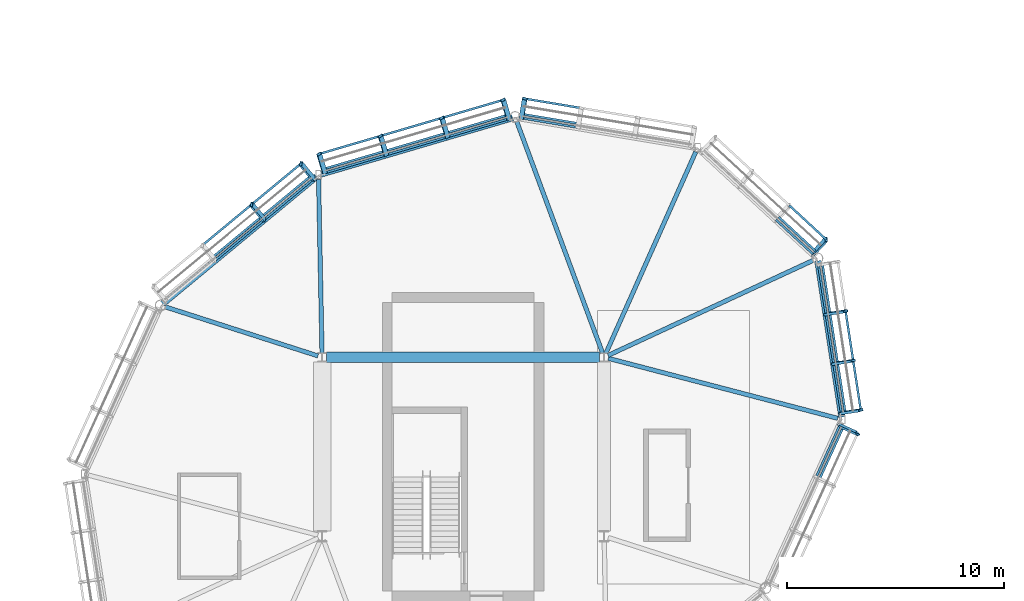
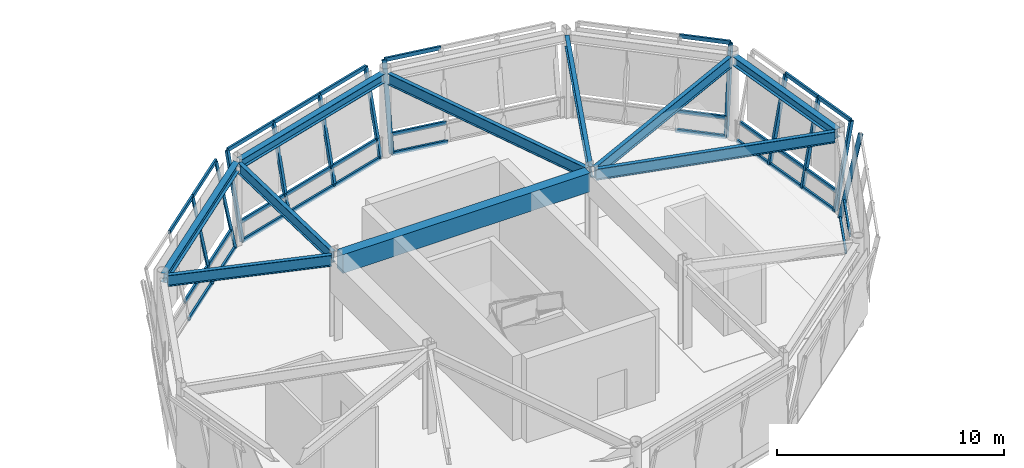
# One storey, part 57 of 94: 43 members, 10 beams, 6 elements without a shape of their own.
"""IFC4 building model written with IfcOpenShell, lengths in metres."""

import ifcopenshell
import ifcopenshell.guid

model = None  # the IFC model being written
_history = None  # IfcOwnerHistory: only IFC2X3 demands one
_inside = {}  # id of a spatial element -> (the spatial element, [elements in it])
_under = {}  # id of a project, library or spatial element -> (it, [spatial elements below it])
_declared = {}  # id of a project -> (the project, [libraries it declares])
_typed = {}  # id of a type object -> (the type object, [elements of that type])
_made_of = {}  # id of a material, layer set ... -> (it, [elements and type objects made of it])


def new_model(schema):
    """Start an empty IFC model of exactly this schema.

    Asked for "IFC4X3", IfcOpenShell would pick the latest addendum, in which some entities
    have other attributes; the version numbers below select the first issue.
    IFC2X3 requires an IfcOwnerHistory on every rooted entity: one is made here for all.
    """
    global model, _history
    if schema == "IFC4X3":
        model = ifcopenshell.file(schema_version=(4, 3, 0, 0))
    else:
        model = ifcopenshell.file(schema=schema)
    _inside.clear()
    _under.clear()
    _declared.clear()
    _typed.clear()
    _made_of.clear()
    _history = None
    if model.schema == "IFC2X3":
        org = make("IfcOrganization", Name="unknown")
        user = make(
            "IfcPersonAndOrganization",
            ThePerson=make("IfcPerson", FamilyName="unknown"),
            TheOrganization=org,
        )
        app = make(
            "IfcApplication",
            ApplicationDeveloper=org,
            Version="unknown",
            ApplicationFullName="unknown",
            ApplicationIdentifier="unknown",
        )
        _history = make(
            "IfcOwnerHistory",
            OwningUser=user,
            OwningApplication=app,
            ChangeAction="ADDED",
            CreationDate=0,
        )
    return model


def make(cls, **values):
    """One entity of the class cls with the attributes given. An attribute that is None is left unset."""
    return model.create_entity(
        cls, **{name: value for name, value in values.items() if value is not None}
    )


def rooted(cls, **values):
    """An entity with a GlobalId (a new one), such as an element, a storey or a relation."""
    return make(cls, GlobalId=ifcopenshell.guid.new(), OwnerHistory=_history, **values)


def si_unit(unit_type, name, prefix=None):
    """IfcSIUnit, for example si_unit("LENGTHUNIT", "METRE", prefix="MILLI")."""
    return make("IfcSIUnit", UnitType=unit_type, Prefix=prefix, Name=name)


def assignment(units):
    """IfcUnitAssignment: the units of a project."""
    return None if units is None else make("IfcUnitAssignment", Units=units)


def point(xyz):
    """IfcCartesianPoint."""
    return None if xyz is None else make("IfcCartesianPoint", Coordinates=xyz)


def direction(xyz):
    """IfcDirection."""
    return None if xyz is None else make("IfcDirection", DirectionRatios=xyz)


def frame(location, z_axis=None, x_axis=None):
    """IfcAxis2Placement3D, a coordinate frame: its origin and axes. An axis left out is left unset."""
    return make(
        "IfcAxis2Placement3D",
        Location=point(location),
        Axis=direction(z_axis),
        RefDirection=direction(x_axis),
    )


def frame_2d(location, x_axis=None):
    """IfcAxis2Placement2D, a coordinate frame in the plane: its origin and x axis."""
    return make(
        "IfcAxis2Placement2D", Location=point(location), RefDirection=direction(x_axis)
    )


def origin():
    """The frame at (0, 0, 0) with its axes left unset."""
    return frame((0.0, 0.0, 0.0))


def origin_2d():
    """The frame at (0, 0) in the plane with its x axis left unset."""
    return frame_2d((0.0, 0.0))


def place(relative_to, where):
    """IfcLocalPlacement: puts the frame where relative to a parent placement (None: the world)."""
    return make(
        "IfcLocalPlacement", PlacementRelTo=relative_to, RelativePlacement=where
    )


def context(
    kind, dimensions, precision=None, world=None, true_north=None, identifier=None
):
    """IfcGeometricRepresentationContext, for example the 3D "Model" context."""
    return make(
        "IfcGeometricRepresentationContext",
        ContextIdentifier=identifier,
        ContextType=kind,
        CoordinateSpaceDimension=dimensions,
        Precision=precision,
        WorldCoordinateSystem=world,
        TrueNorth=true_north,
    )


def subcontext(parent, identifier, kind, view, scale=None):
    """IfcGeometricRepresentationSubContext, for example "Body" below "Model"."""
    return make(
        "IfcGeometricRepresentationSubContext",
        ContextIdentifier=identifier,
        ContextType=kind,
        ParentContext=parent,
        TargetScale=scale,
        TargetView=view,
    )


def project(units=None, contexts=None):
    """IfcProject with its units and contexts."""
    return rooted(
        "IfcProject",
        Name="project",
        RepresentationContexts=contexts,
        UnitsInContext=assignment(units),
    )


def spatial(cls, under=None, at=None, **own):
    """A site, building, storey or space (cls), placed at a placement, below another one or the project."""
    s = rooted(cls, ObjectPlacement=at, **own)
    if under is not None:
        _under.setdefault(under.id(), (under, []))[1].append(s)
    return s


def profile(cls, at=None, kind="AREA", **sizes):
    """A parametric profile (cls). Its sizes go by their IFC names, for example OverallWidth=200.0."""
    return make(cls, ProfileType=kind, Position=at, **sizes)


def rectangle(**sizes):
    """IfcRectangleProfileDef."""
    return profile("IfcRectangleProfileDef", **sizes)


def hollow_rectangle(**sizes):
    """IfcRectangleHollowProfileDef."""
    return profile("IfcRectangleHollowProfileDef", **sizes)


def i_section(**sizes):
    """IfcIShapeProfileDef."""
    return profile("IfcIShapeProfileDef", **sizes)


def extrude(swept, where, along, depth):
    """IfcExtrudedAreaSolid: the profile swept, set in the frame where, extruded along a direction by depth."""
    return make(
        "IfcExtrudedAreaSolid",
        SweptArea=swept,
        Position=where,
        ExtrudedDirection=direction(along),
        Depth=depth,
    )


def shape(context_of_items, identifier, shape_type, items):
    """IfcShapeRepresentation: the items that make up one representation, for example the "Body"."""
    return make(
        "IfcShapeRepresentation",
        ContextOfItems=context_of_items,
        RepresentationIdentifier=identifier,
        RepresentationType=shape_type,
        Items=items,
    )


def material(Name=None, Category=None):
    """IfcMaterial."""
    return make("IfcMaterial", Name=Name, Category=Category)


def material_profile(
    of_material, cross_section, Name=None, Category=None, Priority=None
):
    """IfcMaterialProfile: a cross section and its material."""
    return make(
        "IfcMaterialProfile",
        Name=Name,
        Material=of_material,
        Profile=cross_section,
        Priority=Priority,
        Category=Category,
    )


def profile_set(profiles, Name=None, composite=None):
    """IfcMaterialProfileSet."""
    return make(
        "IfcMaterialProfileSet",
        Name=Name,
        MaterialProfiles=profiles,
        CompositeProfile=composite,
    )


def made_of(thing, what):
    """Note that an element or type object is made of a material, layer set ...; save() writes the relation."""
    if what is not None:
        _made_of.setdefault(what.id(), (what, []))[1].append(thing)
    return thing


def type_object(cls, material=None, **own):
    """A type object (cls), such as IfcWallType, which elements share."""
    return made_of(rooted(cls, **own), material)


def element(
    cls,
    number,
    at=None,
    inside=None,
    cuts=None,
    type_object=None,
    material=None,
    context=None,
    identifier="Body",
    shape_type=None,
    held_by="IfcProductDefinitionShape",
    body=None,
    shapes=None,
    **own,
):
    """One element of the class cls, such as IfcWall. Its Tag is "e" and its number.

    at: its placement. inside: the storey or other place that contains it. cuts: it is an
    opening in that element (IfcRelVoidsElement). A single representation is given by context,
    identifier, shape_type and body (its items); several are given by shapes. held_by: the class
    of the entity that holds the representations. save() writes the other relations.
    """
    e = rooted(cls, Tag="e%d" % number, ObjectPlacement=at, **own)
    if body is not None:
        shapes = [shape(context, identifier, shape_type, body)]
    if shapes is not None:
        e.Representation = make(held_by, Representations=shapes)
    if inside is not None:
        _inside.setdefault(inside.id(), (inside, []))[1].append(e)
    if cuts is not None:
        rooted(
            "IfcRelVoidsElement", RelatingBuildingElement=cuts, RelatedOpeningElement=e
        )
    if type_object is not None:
        _typed.setdefault(type_object.id(), (type_object, []))[1].append(e)
    return made_of(e, material)


def aggregate(whole, parts):
    """IfcRelAggregates: a whole, such as a stair, and the parts it consists of."""
    return rooted("IfcRelAggregates", RelatingObject=whole, RelatedObjects=parts)


def save(model, path):
    """Write the relations noted so far, then the file.

    IfcRelAggregates (storeys below a building ...), IfcRelContainedInSpatialStructure (elements
    in a storey), IfcRelDefinesByType, IfcRelAssociatesMaterial and IfcRelDeclares: one each for
    every whole, place, type object, material and project.
    """
    for whole, parts in _under.values():
        aggregate(whole, parts)
    for where, things in _inside.values():
        rooted(
            "IfcRelContainedInSpatialStructure",
            RelatedElements=things,
            RelatingStructure=where,
        )
    for kind, things in _typed.values():
        rooted("IfcRelDefinesByType", RelatedObjects=things, RelatingType=kind)
    for what, things in _made_of.values():
        rooted("IfcRelAssociatesMaterial", RelatedObjects=things, RelatingMaterial=what)
    for by, libraries in _declared.values():
        rooted("IfcRelDeclares", RelatingContext=by, RelatedDefinitions=libraries)
    model.write(path)


model = new_model("IFC4")

# Units and contexts
model_context = context("Model", 3, precision=1e-05, world=origin(), true_north=direction((0.0, 1.0)))
body_context = subcontext(model_context, "Body", "Model", "MODEL_VIEW")
ifc_project = project(units=[si_unit("LENGTHUNIT", "METRE"), si_unit("AREAUNIT", "SQUARE_METRE"), si_unit("VOLUMEUNIT", "CUBIC_METRE"), si_unit("PLANEANGLEUNIT", "RADIAN"), si_unit("MASSUNIT", "GRAM", prefix="KILO")], contexts=[model_context])

# Site, building, storey
site_placement = place(None, origin())
site = spatial("IfcSite", under=ifc_project, at=site_placement, CompositionType="ELEMENT")
building_placement = place(site_placement, origin())
building = spatial("IfcBuilding", under=site, at=building_placement, Name="Linyun Crest Stadium", CompositionType="ELEMENT")
storey_placement = place(building_placement, frame((0.0, 0.0, 16.199951171875)))
storey = spatial("IfcBuildingStorey", under=building, at=storey_placement, Name="L04", CompositionType="ELEMENT", Elevation=16.199951171875)

# Beams
ifc_material_1 = material(Name="Concrete C40", Category="concrete")
ifc_material_profile_1 = material_profile(ifc_material_1, rectangle(XDim=0.5, YDim=1.0, at=origin_2d()), Name="RCB 1000x500")
ifc_profile_set_1 = profile_set([ifc_material_profile_1], Name="Concrete C40")
beam_type_1 = type_object("IfcBeamType", Name="B05", PredefinedType="BEAM", material=ifc_profile_set_1)
beam_1_placement = place(storey_placement, frame((67.2041015625, 88.75, 4.02001953125), z_axis=(1.0, 0.0, 0.0), x_axis=(0.0, 1.0, 0.0)))
element("IfcBeam", 1, at=beam_1_placement, inside=storey, type_object=beam_type_1, Name="Frame beam B05 L04 972", PredefinedType="BEAM", context=body_context, shape_type="SweptSolid", body=[
    extrude(rectangle(XDim=0.5, YDim=1.0, at=origin_2d()), origin(), (0.0, 0.0, 1.0), 12.591796875),
])
ifc_material_2 = material(Name="Steel Q355C", Category="steel")
ifc_material_profile_2 = material_profile(ifc_material_2, i_section(OverallWidth=0.300048828125, OverallDepth=0.488037109375, WebThickness=0.010986328125, FlangeThickness=0.01806640625, at=origin_2d()), Name="HM 488x300")
ifc_profile_set_2 = profile_set([ifc_material_profile_2], Name="Steel Q355C")
beam_type_2 = type_object("IfcBeamType", Name="B08", PredefinedType="BEAM", material=ifc_profile_set_2)
beam_2_placement = place(storey_placement, frame((75.779052734375, 99.7919921875, 4.276123046875), z_axis=(-0.959427571735, -0.281955199623, 0.0), x_axis=(0.281955199623, -0.959427571735, 0.0)))
element("IfcBeam", 2, at=beam_2_placement, inside=storey, type_object=beam_type_2, Name="Pod ring girder B08 L04 125", PredefinedType="BEAM", context=body_context, shape_type="SweptSolid", body=[
    extrude(i_section(OverallWidth=0.300048828125, OverallDepth=0.488037109375, WebThickness=0.010986328125, FlangeThickness=0.01806640625, at=origin_2d()), origin(), (0.0, 0.0, 1.0), 9.203369140625),
])
beam_3_placement = place(storey_placement, frame((66.741943359375, 97.0859375, 4.276123046875), z_axis=(-0.770371409823, -0.637595397512, 0.0), x_axis=(0.637595397512, -0.770371409823, 0.0)))
element("IfcBeam", 3, at=beam_3_placement, inside=storey, type_object=beam_type_2, Name="Pod ring girder B08 L04 127", PredefinedType="BEAM", context=body_context, shape_type="SweptSolid", body=[
    extrude(i_section(OverallWidth=0.300048828125, OverallDepth=0.488037109375, WebThickness=0.010986328125, FlangeThickness=0.01806640625, at=origin_2d()), origin(), (0.0, 0.0, 1.0), 9.204833984375),
])
beam_4_placement = place(storey_placement, frame((90.9609375, 85.9970703125, 4.276123046875), z_axis=(-0.152213453027, 0.988347643655, 0.0), x_axis=(-0.988347643655, -0.152213453027, 0.0)))
element("IfcBeam", 4, at=beam_4_placement, inside=storey, type_object=beam_type_2, Name="Pod ring girder B08 L04 143", PredefinedType="BEAM", context=body_context, shape_type="SweptSolid", body=[
    extrude(i_section(OverallWidth=0.300048828125, OverallDepth=0.488037109375, WebThickness=0.010986328125, FlangeThickness=0.01806640625, at=origin_2d()), origin(), (0.0, 0.0, 1.0), 7.278564453125),
])
ifc_material_3 = material(Name="Steel Q355C", Category="steel")
ifc_material_profile_3 = material_profile(ifc_material_3, i_section(OverallWidth=0.199951171875, OverallDepth=0.60009765625, WebThickness=0.010986328125, FlangeThickness=0.01708984375, at=origin_2d()), Name="HN 600x200")
ifc_profile_set_3 = profile_set([ifc_material_profile_3], Name="Steel Q355C")
beam_type_3 = type_object("IfcBeamType", Name="B11", PredefinedType="BEAM", material=ifc_profile_set_3)
beam_5_placement = place(storey_placement, frame((80.180908203125, 88.833984375, 4.219970703125), z_axis=(0.907241490816, 0.420610125106, 0.0), x_axis=(-0.420610125106, 0.907241490816, 0.0)))
element("IfcBeam", 5, at=beam_5_placement, inside=storey, type_object=beam_type_3, Name="Pod radial tie girder B11 L04 122", PredefinedType="BEAM", context=body_context, shape_type="SweptSolid", body=[
    extrude(i_section(OverallWidth=0.199951171875, OverallDepth=0.60009765625, WebThickness=0.010986328125, FlangeThickness=0.01708984375, at=origin_2d()), origin(), (0.0, 0.0, 1.0), 10.420654296875),
])
beam_6_placement = place(storey_placement, frame((80.0810546875, 88.93310546875, 4.219970703125), z_axis=(0.407495258441, 0.913207322763, 0.0), x_axis=(-0.913207322763, 0.407495258441, 0.0)))
element("IfcBeam", 6, at=beam_6_placement, inside=storey, type_object=beam_type_3, Name="Pod radial tie girder B11 L04 124", PredefinedType="BEAM", context=body_context, shape_type="SweptSolid", body=[
    extrude(i_section(OverallWidth=0.199951171875, OverallDepth=0.60009765625, WebThickness=0.010986328125, FlangeThickness=0.01708984375, at=origin_2d()), origin(), (0.0, 0.0, 1.0), 10.1640625),
])
beam_7_placement = place(storey_placement, frame((79.929931640625, 88.93798828125, 4.219970703125), z_axis=(-0.347593524127, 0.937645317796, 0.0), x_axis=(-0.937645317796, -0.347593524127, 0.0)))
element("IfcBeam", 7, at=beam_7_placement, inside=storey, type_object=beam_type_3, Name="Pod radial tie girder B11 L04 126", PredefinedType="BEAM", context=body_context, shape_type="SweptSolid", body=[
    extrude(i_section(OverallWidth=0.199951171875, OverallDepth=0.60009765625, WebThickness=0.010986328125, FlangeThickness=0.01708984375, at=origin_2d()), origin(), (0.0, 0.0, 1.0), 11.392578125),
])
beam_8_placement = place(storey_placement, frame((66.99609375, 88.949951171875, 4.219970703125), z_axis=(-0.01978842746, 0.999804189899, 0.0), x_axis=(-0.999804189899, -0.01978842746, 0.0)))
element("IfcBeam", 8, at=beam_8_placement, inside=storey, type_object=beam_type_3, Name="Pod radial tie girder B11 L04 128", PredefinedType="BEAM", context=body_context, shape_type="SweptSolid", body=[
    extrude(i_section(OverallWidth=0.199951171875, OverallDepth=0.60009765625, WebThickness=0.010986328125, FlangeThickness=0.01708984375, at=origin_2d()), origin(), (0.0, 0.0, 1.0), 7.99462890625),
])
beam_9_placement = place(storey_placement, frame((66.81005859375, 88.81103515625, 4.219970703125), z_axis=(-0.952088987816, 0.305821123011, 0.0), x_axis=(-0.305821123011, -0.952088987816, 0.0)))
element("IfcBeam", 9, at=beam_9_placement, inside=storey, type_object=beam_type_3, Name="Pod radial tie girder B11 L04 130", PredefinedType="BEAM", context=body_context, shape_type="SweptSolid", body=[
    extrude(i_section(OverallWidth=0.199951171875, OverallDepth=0.60009765625, WebThickness=0.010986328125, FlangeThickness=0.01708984375, at=origin_2d()), origin(), (0.0, 0.0, 1.0), 7.396240234375),
])
beam_10_placement = place(storey_placement, frame((80.193115234375, 88.698974609375, 4.219970703125), z_axis=(0.967466930693, -0.252997505948, 0.0), x_axis=(0.252997505948, 0.967466930693, 0.0)))
element("IfcBeam", 10, at=beam_10_placement, inside=storey, type_object=beam_type_3, Name="Pod radial tie girder B11 L04 144", PredefinedType="BEAM", context=body_context, shape_type="SweptSolid", body=[
    extrude(i_section(OverallWidth=0.199951171875, OverallDepth=0.60009765625, WebThickness=0.010986328125, FlangeThickness=0.01708984375, at=origin_2d()), origin(), (0.0, 0.0, 1.0), 10.928466796875),
])

# Curtain wall, member
ifc_material_4 = material(Name="Verdigris steel and low-E curtain wall assembly", Category="steel")
curtain_wall_type = type_object("IfcCurtainWallType", Name="MCW04", PredefinedType="NOTDEFINED", material=ifc_material_4)
curtain_wall_1_placement = place(storey_placement, origin())
curtain_wall_1 = element("IfcCurtainWall", 11, at=curtain_wall_1_placement, inside=storey, type_object=curtain_wall_type, Name="CWR-037", PredefinedType="NOTDEFINED")
ifc_material_5 = material(Name="Verdigris painted steel Q355C pod mullion", Category="steel")
ifc_material_profile_4 = material_profile(ifc_material_5, hollow_rectangle(XDim=0.1201171875, YDim=0.219970703125, WallThickness=0.008056640625, at=origin_2d()), Name="RHS 220x120x8")
ifc_profile_set_4 = profile_set([ifc_material_profile_4], Name="Verdigris painted steel Q355C pod mullion")
member_type_1 = type_object("IfcMemberType", Name="ML04", PredefinedType="MULLION", material=ifc_profile_set_4)
member_1_placement = place(storey_placement, frame((89.614990234375, 93.513916015625, 0.0), z_axis=(0.135338938, 0.146335561976, 0.979933301384), x_axis=(0.986931761781, 0.067392260663, -0.146369330089)))
member_1 = element("IfcMember", 12, at=member_1_placement, type_object=member_type_1, Name="CWR-037 mullion 1", PredefinedType="MULLION", context=body_context, shape_type="SweptSolid", body=[
    extrude(hollow_rectangle(XDim=0.1201171875, YDim=0.219970703125, WallThickness=0.008056640625, at=origin_2d()), origin(), (0.0, 0.0, 1.0), 4.55126953125),
])

curtain_wall_2_placement = place(storey_placement, origin())
curtain_wall_2 = element("IfcCurtainWall", 13, at=curtain_wall_2_placement, inside=storey, type_object=curtain_wall_type, Name="CWR-038", PredefinedType="NOTDEFINED")
member_2_placement = place(storey_placement, frame((76.18994140625, 99.77587890625, 0.0), z_axis=(0.03298938458, 0.196648916861, 0.979918825211), x_axis=(0.322673171426, 0.925854197234, -0.196662222875)))
member_2 = element("IfcMember", 14, at=member_2_placement, type_object=member_type_1, Name="CWR-038 mullion 4", PredefinedType="MULLION", context=body_context, shape_type="SweptSolid", body=[
    extrude(hollow_rectangle(XDim=0.1201171875, YDim=0.219970703125, WallThickness=0.008056640625, at=origin_2d()), origin(), (0.0, 0.0, 1.0), 4.55126953125),
])

# Curtain wall, members
curtain_wall_3_placement = place(storey_placement, origin())
curtain_wall_3 = element("IfcCurtainWall", 15, at=curtain_wall_3_placement, inside=storey, type_object=curtain_wall_type, Name="CWR-039", PredefinedType="NOTDEFINED")
member_3_placement = place(storey_placement, frame((75.60595703125, 99.740966796875, 0.0), z_axis=(-0.056215155453, 0.191389002536, 0.979903110519), x_axis=(-0.535521217083, 0.822551841019, -0.191377885059)))
member_3 = element("IfcMember", 16, at=member_3_placement, type_object=member_type_1, Name="CWR-039 mullion 1", PredefinedType="MULLION", context=body_context, shape_type="SweptSolid", body=[
    extrude(hollow_rectangle(XDim=0.1201171875, YDim=0.219970703125, WallThickness=0.008056640625, at=origin_2d()), origin(), (0.0, 0.0, 1.0), 4.551513671875),
])
member_4_placement = place(storey_placement, frame((72.778076171875, 98.909912109375, 0.0), z_axis=(-0.056268626116, 0.191388425148, 0.979900154319), x_axis=(-0.535732609675, 0.822410933305, -0.191391817253)))
member_4 = element("IfcMember", 17, at=member_4_placement, type_object=member_type_1, Name="CWR-039 mullion 2", PredefinedType="MULLION", context=body_context, shape_type="SweptSolid", body=[
    extrude(hollow_rectangle(XDim=0.1201171875, YDim=0.219970703125, WallThickness=0.008056640625, at=origin_2d()), origin(), (0.0, 0.0, 1.0), 4.551513671875),
])
member_5_placement = place(storey_placement, frame((69.949951171875, 98.0791015625, 0.0), z_axis=(-0.056215732497, 0.19133732616, 0.979913169132), x_axis=(-0.535586287554, 0.822520503693, -0.191330472193)))
member_5 = element("IfcMember", 18, at=member_5_placement, type_object=member_type_1, Name="CWR-039 mullion 3", PredefinedType="MULLION", context=body_context, shape_type="SweptSolid", body=[
    extrude(hollow_rectangle(XDim=0.1201171875, YDim=0.219970703125, WallThickness=0.008056640625, at=origin_2d()), origin(), (0.0, 0.0, 1.0), 4.55126953125),
])
member_6_placement = place(storey_placement, frame((67.1220703125, 97.248046875, 0.0), z_axis=(-0.056269203704, 0.191336748916, 0.97991021284), x_axis=(-0.535797721848, 0.822379546579, -0.191344408412)))
member_6 = element("IfcMember", 19, at=member_6_placement, type_object=member_type_1, Name="CWR-039 mullion 4", PredefinedType="MULLION", context=body_context, shape_type="SweptSolid", body=[
    extrude(hollow_rectangle(XDim=0.1201171875, YDim=0.219970703125, WallThickness=0.008056640625, at=origin_2d()), origin(), (0.0, 0.0, 1.0), 4.551513671875),
])

curtain_wall_4_placement = place(storey_placement, origin())
curtain_wall_4 = element("IfcCurtainWall", 20, at=curtain_wall_4_placement, inside=storey, type_object=curtain_wall_type, Name="CWR-040", PredefinedType="NOTDEFINED")
member_7_placement = place(storey_placement, frame((66.60302734375, 96.971923828125, 0.0), z_axis=(-0.127236122693, 0.153573785527, 0.979911251839), x_axis=(-0.972616489706, 0.174405811147, -0.153622189123)))
member_7 = element("IfcMember", 21, at=member_7_placement, type_object=member_type_1, Name="CWR-040 mullion 1", PredefinedType="MULLION", context=body_context, shape_type="SweptSolid", body=[
    extrude(hollow_rectangle(XDim=0.1201171875, YDim=0.219970703125, WallThickness=0.008056640625, at=origin_2d()), origin(), (0.0, 0.0, 1.0), 4.551513671875),
])
member_8_placement = place(storey_placement, frame((64.33203125, 95.092041015625, 0.0), z_axis=(-0.127236122693, 0.153573785527, 0.979911251839), x_axis=(-0.972616489706, 0.174405811147, -0.153622189123)))
member_8 = element("IfcMember", 22, at=member_8_placement, type_object=member_type_1, Name="CWR-040 mullion 2", PredefinedType="MULLION", context=body_context, shape_type="SweptSolid", body=[
    extrude(hollow_rectangle(XDim=0.1201171875, YDim=0.219970703125, WallThickness=0.008056640625, at=origin_2d()), origin(), (0.0, 0.0, 1.0), 4.551513671875),
])

# Curtain wall, member
curtain_wall_5_placement = place(storey_placement, origin())
curtain_wall_5 = element("IfcCurtainWall", 23, at=curtain_wall_5_placement, inside=storey, type_object=curtain_wall_type, Name="CWR-047", PredefinedType="NOTDEFINED")
member_9_placement = place(storey_placement, frame((90.85498046875, 85.60498046875, 0.0), z_axis=(0.181468825356, -0.082607741959, 0.979920928643), x_axis=(-0.746742899656, -0.659957267933, 0.082652563878)))
member_9 = element("IfcMember", 24, at=member_9_placement, type_object=member_type_1, Name="CWR-047 mullion 4", PredefinedType="MULLION", context=body_context, shape_type="SweptSolid", body=[
    extrude(hollow_rectangle(XDim=0.1201171875, YDim=0.219970703125, WallThickness=0.008056640625, at=origin_2d()), origin(), (0.0, 0.0, 1.0), 4.55126953125),
])

# Curtain wall, members
curtain_wall_6_placement = place(storey_placement, origin())
curtain_wall_6 = element("IfcCurtainWall", 25, at=curtain_wall_6_placement, inside=storey, type_object=curtain_wall_type, Name="CWR-048", PredefinedType="NOTDEFINED")
member_10_placement = place(storey_placement, frame((90.93310546875, 86.175048828125, 0.0), z_axis=(0.197078126457, 0.030307333002, 0.979919219956), x_axis=(0.297564133026, -0.954219848117, -0.030332625933)))
member_10 = element("IfcMember", 26, at=member_10_placement, type_object=member_type_1, Name="CWR-048 mullion 1", PredefinedType="MULLION", context=body_context, shape_type="SweptSolid", body=[
    extrude(hollow_rectangle(XDim=0.1201171875, YDim=0.219970703125, WallThickness=0.008056640625, at=origin_2d()), origin(), (0.0, 0.0, 1.0), 4.55126953125),
])
member_11_placement = place(storey_placement, frame((90.58203125, 88.4541015625, 0.0), z_axis=(0.197078126457, 0.030307333002, 0.979919219956), x_axis=(0.297564133026, -0.954219848117, -0.030332625933)))
member_11 = element("IfcMember", 27, at=member_11_placement, type_object=member_type_1, Name="CWR-048 mullion 2", PredefinedType="MULLION", context=body_context, shape_type="SweptSolid", body=[
    extrude(hollow_rectangle(XDim=0.1201171875, YDim=0.219970703125, WallThickness=0.008056640625, at=origin_2d()), origin(), (0.0, 0.0, 1.0), 4.55126953125),
])
member_12_placement = place(storey_placement, frame((90.23193359375, 90.73388671875, 0.0), z_axis=(0.19707780578, 0.030360924897, 0.979917625471), x_axis=(0.297817594375, -0.954140733838, -0.030333817954)))
member_12 = element("IfcMember", 28, at=member_12_placement, type_object=member_type_1, Name="CWR-048 mullion 3", PredefinedType="MULLION", context=body_context, shape_type="SweptSolid", body=[
    extrude(hollow_rectangle(XDim=0.1201171875, YDim=0.219970703125, WallThickness=0.008056640625, at=origin_2d()), origin(), (0.0, 0.0, 1.0), 4.55126953125),
])

# Member
ifc_material_6 = material(Name="Verdigris painted steel Q355C transom", Category="steel")
ifc_material_profile_5 = material_profile(ifc_material_6, hollow_rectangle(XDim=0.10009765625, YDim=0.199951171875, WallThickness=0.008056640625, at=origin_2d()), Name="RHS 200x100x8")
ifc_profile_set_5 = profile_set([ifc_material_profile_5], Name="Verdigris painted steel Q355C transom")
member_type_2 = type_object("IfcMemberType", Name="TR03", PredefinedType="USERDEFINED", material=ifc_profile_set_5)
member_13_placement = place(storey_placement, frame((89.614990234375, 93.513916015625, 0.0), z_axis=(-0.734287991916, 0.678838084471, 0.0), x_axis=(-0.678838084471, -0.734287991916, 0.0)))
member_13 = element("IfcMember", 29, at=member_13_placement, type_object=member_type_2, Name="CWR-037 transom 1.1", ObjectType="TRANSOM", PredefinedType="USERDEFINED", context=body_context, shape_type="SweptSolid", body=[
    extrude(hollow_rectangle(XDim=0.10009765625, YDim=0.199951171875, WallThickness=0.008056640625, at=origin_2d()), origin(), (0.0, 0.0, 1.0), 2.30712890625),
])

member_14_placement = place(storey_placement, frame((89.739013671875, 93.64794921875, 0.900146484375), z_axis=(-0.734287991916, 0.678838084471, 0.0), x_axis=(-0.678838084471, -0.734287991916, 0.0)))
member_14 = element("IfcMember", 30, at=member_14_placement, type_object=member_type_2, Name="CWR-037 transom 1.2", ObjectType="TRANSOM", PredefinedType="USERDEFINED", context=body_context, shape_type="SweptSolid", body=[
    extrude(hollow_rectangle(XDim=0.10009765625, YDim=0.199951171875, WallThickness=0.008056640625, at=origin_2d()), origin(), (0.0, 0.0, 1.0), 2.30712890625),
])

member_15_placement = place(storey_placement, frame((90.23095703125, 94.179931640625, 4.4599609375), z_axis=(-0.734239221938, 0.678890834352, 0.0), x_axis=(-0.678890834352, -0.734239221938, 0.0)))
member_15 = element("IfcMember", 31, at=member_15_placement, type_object=member_type_2, Name="CWR-037 transom 1.3", ObjectType="TRANSOM", PredefinedType="USERDEFINED", context=body_context, shape_type="SweptSolid", body=[
    extrude(hollow_rectangle(XDim=0.10009765625, YDim=0.199951171875, WallThickness=0.008056640625, at=origin_2d()), origin(), (0.0, 0.0, 1.0), 2.306884765625),
])

aggregate(curtain_wall_1, [member_1, member_13, member_14, member_15])

member_16_placement = place(storey_placement, frame((78.799072265625, 99.339111328125, 0.0), z_axis=(-0.986276442989, 0.165102325864, 0.0), x_axis=(-0.165102325864, -0.986276442989, 0.0)))
member_16 = element("IfcMember", 32, at=member_16_placement, type_object=member_type_2, Name="CWR-038 transom 3.1", ObjectType="TRANSOM", PredefinedType="USERDEFINED", context=body_context, shape_type="SweptSolid", body=[
    extrude(hollow_rectangle(XDim=0.10009765625, YDim=0.199951171875, WallThickness=0.008056640625, at=origin_2d()), origin(), (0.0, 0.0, 1.0), 2.6455078125),
])

member_17_placement = place(storey_placement, frame((78.8291015625, 99.52001953125, 0.900146484375), z_axis=(-0.986261411357, 0.165192095661, 0.0), x_axis=(-0.165192095661, -0.986261411357, 0.0)))
member_17 = element("IfcMember", 33, at=member_17_placement, type_object=member_type_2, Name="CWR-038 transom 3.2", ObjectType="TRANSOM", PredefinedType="USERDEFINED", context=body_context, shape_type="SweptSolid", body=[
    extrude(hollow_rectangle(XDim=0.10009765625, YDim=0.199951171875, WallThickness=0.008056640625, at=origin_2d()), origin(), (0.0, 0.0, 1.0), 2.6455078125),
])

member_18_placement = place(storey_placement, frame((78.948974609375, 100.23388671875, 4.4599609375), z_axis=(-0.98625889267, 0.165207132499, 0.0), x_axis=(-0.165207132499, -0.98625889267, 0.0)))
member_18 = element("IfcMember", 34, at=member_18_placement, type_object=member_type_2, Name="CWR-038 transom 3.3", ObjectType="TRANSOM", PredefinedType="USERDEFINED", context=body_context, shape_type="SweptSolid", body=[
    extrude(hollow_rectangle(XDim=0.10009765625, YDim=0.199951171875, WallThickness=0.008056640625, at=origin_2d()), origin(), (0.0, 0.0, 1.0), 2.645263671875),
])

aggregate(curtain_wall_2, [member_2, member_16, member_17, member_18])

member_19_placement = place(storey_placement, frame((75.60595703125, 99.740966796875, 0.0), z_axis=(-0.959427469513, -0.28195554746, 0.0), x_axis=(0.28195554746, -0.959427469513, 0.0)))
member_19 = element("IfcMember", 35, at=member_19_placement, type_object=member_type_2, Name="CWR-039 transom 1.1", ObjectType="TRANSOM", PredefinedType="USERDEFINED", context=body_context, shape_type="SweptSolid", body=[
    extrude(hollow_rectangle(XDim=0.10009765625, YDim=0.199951171875, WallThickness=0.008056640625, at=origin_2d()), origin(), (0.0, 0.0, 1.0), 2.947509765625),
])

member_20_placement = place(storey_placement, frame((75.553955078125, 99.9169921875, 0.900146484375), z_axis=(-0.959427469513, -0.28195554746, 0.0), x_axis=(0.28195554746, -0.959427469513, 0.0)))
member_20 = element("IfcMember", 36, at=member_20_placement, type_object=member_type_2, Name="CWR-039 transom 1.2", ObjectType="TRANSOM", PredefinedType="USERDEFINED", context=body_context, shape_type="SweptSolid", body=[
    extrude(hollow_rectangle(XDim=0.10009765625, YDim=0.199951171875, WallThickness=0.008056640625, at=origin_2d()), origin(), (0.0, 0.0, 1.0), 2.947509765625),
])

member_21_placement = place(storey_placement, frame((75.35009765625, 100.612060546875, 4.4599609375), z_axis=(-0.959434053677, -0.281933142154, 0.0), x_axis=(0.281933142154, -0.959434053677, 0.0)))
member_21 = element("IfcMember", 37, at=member_21_placement, type_object=member_type_2, Name="CWR-039 transom 1.3", ObjectType="TRANSOM", PredefinedType="USERDEFINED", context=body_context, shape_type="SweptSolid", body=[
    extrude(hollow_rectangle(XDim=0.10009765625, YDim=0.199951171875, WallThickness=0.008056640625, at=origin_2d()), origin(), (0.0, 0.0, 1.0), 2.94775390625),
])

member_22_placement = place(storey_placement, frame((72.778076171875, 98.909912109375, 0.0), z_axis=(-0.959456454772, -0.281856898791, 0.0), x_axis=(0.281856898791, -0.959456454772, 0.0)))
member_22 = element("IfcMember", 38, at=member_22_placement, type_object=member_type_2, Name="CWR-039 transom 2.1", ObjectType="TRANSOM", PredefinedType="USERDEFINED", context=body_context, shape_type="SweptSolid", body=[
    extrude(hollow_rectangle(XDim=0.10009765625, YDim=0.199951171875, WallThickness=0.008056640625, at=origin_2d()), origin(), (0.0, 0.0, 1.0), 2.94775390625),
])

member_23_placement = place(storey_placement, frame((72.72607421875, 99.0859375, 0.900146484375), z_axis=(-0.959434053677, -0.281933142154, 0.0), x_axis=(0.281933142154, -0.959434053677, 0.0)))
member_23 = element("IfcMember", 39, at=member_23_placement, type_object=member_type_2, Name="CWR-039 transom 2.2", ObjectType="TRANSOM", PredefinedType="USERDEFINED", context=body_context, shape_type="SweptSolid", body=[
    extrude(hollow_rectangle(XDim=0.10009765625, YDim=0.199951171875, WallThickness=0.008056640625, at=origin_2d()), origin(), (0.0, 0.0, 1.0), 2.94775390625),
])

member_24_placement = place(storey_placement, frame((72.52197265625, 99.781005859375, 4.4599609375), z_axis=(-0.959427469513, -0.28195554746, 0.0), x_axis=(0.28195554746, -0.959427469513, 0.0)))
member_24 = element("IfcMember", 40, at=member_24_placement, type_object=member_type_2, Name="CWR-039 transom 2.3", ObjectType="TRANSOM", PredefinedType="USERDEFINED", context=body_context, shape_type="SweptSolid", body=[
    extrude(hollow_rectangle(XDim=0.10009765625, YDim=0.199951171875, WallThickness=0.008056640625, at=origin_2d()), origin(), (0.0, 0.0, 1.0), 2.947509765625),
])

member_25_placement = place(storey_placement, frame((69.949951171875, 98.0791015625, 0.0), z_axis=(-0.959427469513, -0.28195554746, 0.0), x_axis=(0.28195554746, -0.959427469513, 0.0)))
member_25 = element("IfcMember", 41, at=member_25_placement, type_object=member_type_2, Name="CWR-039 transom 3.1", ObjectType="TRANSOM", PredefinedType="USERDEFINED", context=body_context, shape_type="SweptSolid", body=[
    extrude(hollow_rectangle(XDim=0.10009765625, YDim=0.199951171875, WallThickness=0.008056640625, at=origin_2d()), origin(), (0.0, 0.0, 1.0), 2.947509765625),
])

member_26_placement = place(storey_placement, frame((69.89794921875, 98.2548828125, 0.900146484375), z_axis=(-0.959449874016, -0.281879299083, 0.0), x_axis=(0.281879299083, -0.959449874016, 0.0)))
member_26 = element("IfcMember", 42, at=member_26_placement, type_object=member_type_2, Name="CWR-039 transom 3.2", ObjectType="TRANSOM", PredefinedType="USERDEFINED", context=body_context, shape_type="SweptSolid", body=[
    extrude(hollow_rectangle(XDim=0.10009765625, YDim=0.199951171875, WallThickness=0.008056640625, at=origin_2d()), origin(), (0.0, 0.0, 1.0), 2.947509765625),
])

member_27_placement = place(storey_placement, frame((69.694091796875, 98.949951171875, 4.4599609375), z_axis=(-0.959434053677, -0.281933142154, 0.0), x_axis=(0.281933142154, -0.959434053677, 0.0)))
member_27 = element("IfcMember", 43, at=member_27_placement, type_object=member_type_2, Name="CWR-039 transom 3.3", ObjectType="TRANSOM", PredefinedType="USERDEFINED", context=body_context, shape_type="SweptSolid", body=[
    extrude(hollow_rectangle(XDim=0.10009765625, YDim=0.199951171875, WallThickness=0.008056640625, at=origin_2d()), origin(), (0.0, 0.0, 1.0), 2.94775390625),
])

aggregate(curtain_wall_3, [member_3, member_4, member_5, member_6, member_19, member_20, member_21, member_22, member_23, member_24, member_25, member_26, member_27])

member_28_placement = place(storey_placement, frame((66.60302734375, 96.971923828125, 0.0), z_axis=(-0.770321380351, -0.63765584054, 0.0), x_axis=(0.63765584054, -0.770321380351, 0.0)))
member_28 = element("IfcMember", 44, at=member_28_placement, type_object=member_type_2, Name="CWR-040 transom 1.1", ObjectType="TRANSOM", PredefinedType="USERDEFINED", context=body_context, shape_type="SweptSolid", body=[
    extrude(hollow_rectangle(XDim=0.10009765625, YDim=0.199951171875, WallThickness=0.008056640625, at=origin_2d()), origin(), (0.0, 0.0, 1.0), 2.947998046875),
])

member_29_placement = place(storey_placement, frame((66.486083984375, 97.113037109375, 0.900146484375), z_axis=(-0.770280703464, -0.637704977142, 0.0), x_axis=(0.637704977142, -0.770280703464, 0.0)))
member_29 = element("IfcMember", 45, at=member_29_placement, type_object=member_type_2, Name="CWR-040 transom 1.2", ObjectType="TRANSOM", PredefinedType="USERDEFINED", context=body_context, shape_type="SweptSolid", body=[
    extrude(hollow_rectangle(XDim=0.10009765625, YDim=0.199951171875, WallThickness=0.008056640625, at=origin_2d()), origin(), (0.0, 0.0, 1.0), 2.9482421875),
])

member_30_placement = place(storey_placement, frame((66.02392578125, 97.6708984375, 4.4599609375), z_axis=(-0.770321380351, -0.63765584054, 0.0), x_axis=(0.63765584054, -0.770321380351, 0.0)))
member_30 = element("IfcMember", 46, at=member_30_placement, type_object=member_type_2, Name="CWR-040 transom 1.3", ObjectType="TRANSOM", PredefinedType="USERDEFINED", context=body_context, shape_type="SweptSolid", body=[
    extrude(hollow_rectangle(XDim=0.10009765625, YDim=0.199951171875, WallThickness=0.008056640625, at=origin_2d()), origin(), (0.0, 0.0, 1.0), 2.947998046875),
])

member_31_placement = place(storey_placement, frame((64.33203125, 95.092041015625, 0.0), z_axis=(-0.770118007544, -0.637901445724, 0.0), x_axis=(0.637901445724, -0.770118007544, 0.0)))
member_31 = element("IfcMember", 47, at=member_31_placement, type_object=member_type_2, Name="CWR-040 transom 2.1", ObjectType="TRANSOM", PredefinedType="USERDEFINED", context=body_context, shape_type="SweptSolid", body=[
    extrude(hollow_rectangle(XDim=0.10009765625, YDim=0.199951171875, WallThickness=0.008056640625, at=origin_2d()), origin(), (0.0, 0.0, 1.0), 2.948974609375),
])

member_32_placement = place(storey_placement, frame((64.215087890625, 95.23291015625, 0.900146484375), z_axis=(-0.770158679778, -0.63785234025, 0.0), x_axis=(0.63785234025, -0.770158679778, 0.0)))
member_32 = element("IfcMember", 48, at=member_32_placement, type_object=member_type_2, Name="CWR-040 transom 2.2", ObjectType="TRANSOM", PredefinedType="USERDEFINED", context=body_context, shape_type="SweptSolid", body=[
    extrude(hollow_rectangle(XDim=0.10009765625, YDim=0.199951171875, WallThickness=0.008056640625, at=origin_2d()), origin(), (0.0, 0.0, 1.0), 2.94873046875),
])

member_33_placement = place(storey_placement, frame((63.7529296875, 95.791015625, 4.4599609375), z_axis=(-0.770118007544, -0.637901445724, 0.0), x_axis=(0.637901445724, -0.770118007544, 0.0)))
member_33 = element("IfcMember", 49, at=member_33_placement, type_object=member_type_2, Name="CWR-040 transom 2.3", ObjectType="TRANSOM", PredefinedType="USERDEFINED", context=body_context, shape_type="SweptSolid", body=[
    extrude(hollow_rectangle(XDim=0.10009765625, YDim=0.199951171875, WallThickness=0.008056640625, at=origin_2d()), origin(), (0.0, 0.0, 1.0), 2.948974609375),
])

aggregate(curtain_wall_4, [member_7, member_8, member_28, member_29, member_30, member_31, member_32, member_33])

member_34_placement = place(storey_placement, frame((89.758056640625, 83.197998046875, 0.0), z_axis=(0.414692848815, 0.90996145036, 0.0), x_axis=(-0.90996145036, 0.414692848815, 0.0)))
member_34 = element("IfcMember", 50, at=member_34_placement, type_object=member_type_2, Name="CWR-047 transom 3.1", ObjectType="TRANSOM", PredefinedType="USERDEFINED", context=body_context, shape_type="SweptSolid", body=[
    extrude(hollow_rectangle(XDim=0.10009765625, YDim=0.199951171875, WallThickness=0.008056640625, at=origin_2d()), origin(), (0.0, 0.0, 1.0), 2.645263671875),
])

member_35_placement = place(storey_placement, frame((89.925048828125, 83.1220703125, 0.900146484375), z_axis=(0.414692848815, 0.90996145036, 0.0), x_axis=(-0.90996145036, 0.414692848815, 0.0)))
member_35 = element("IfcMember", 51, at=member_35_placement, type_object=member_type_2, Name="CWR-047 transom 3.2", ObjectType="TRANSOM", PredefinedType="USERDEFINED", context=body_context, shape_type="SweptSolid", body=[
    extrude(hollow_rectangle(XDim=0.10009765625, YDim=0.199951171875, WallThickness=0.008056640625, at=origin_2d()), origin(), (0.0, 0.0, 1.0), 2.645263671875),
])

aggregate(curtain_wall_5, [member_9, member_34, member_35])

member_36_placement = place(storey_placement, frame((90.93310546875, 86.175048828125, 0.0), z_axis=(-0.152248123454, 0.988342303509, 0.0), x_axis=(-0.988342303509, -0.152248123454, 0.0)))
member_36 = element("IfcMember", 52, at=member_36_placement, type_object=member_type_2, Name="CWR-048 transom 1.1", ObjectType="TRANSOM", PredefinedType="USERDEFINED", context=body_context, shape_type="SweptSolid", body=[
    extrude(hollow_rectangle(XDim=0.10009765625, YDim=0.199951171875, WallThickness=0.008056640625, at=origin_2d()), origin(), (0.0, 0.0, 1.0), 2.305908203125),
])

member_37_placement = place(storey_placement, frame((91.114013671875, 86.202880859375, 0.900146484375), z_axis=(-0.152248123454, 0.988342303509, 0.0), x_axis=(-0.988342303509, -0.152248123454, 0.0)))
member_37 = element("IfcMember", 53, at=member_37_placement, type_object=member_type_2, Name="CWR-048 transom 1.2", ObjectType="TRANSOM", PredefinedType="USERDEFINED", context=body_context, shape_type="SweptSolid", body=[
    extrude(hollow_rectangle(XDim=0.10009765625, YDim=0.199951171875, WallThickness=0.008056640625, at=origin_2d()), origin(), (0.0, 0.0, 1.0), 2.305908203125),
])

member_38_placement = place(storey_placement, frame((91.830078125, 86.31298828125, 4.4599609375), z_axis=(-0.152248123454, 0.988342303509, 0.0), x_axis=(-0.988342303509, -0.152248123454, 0.0)))
member_38 = element("IfcMember", 54, at=member_38_placement, type_object=member_type_2, Name="CWR-048 transom 1.3", ObjectType="TRANSOM", PredefinedType="USERDEFINED", context=body_context, shape_type="SweptSolid", body=[
    extrude(hollow_rectangle(XDim=0.10009765625, YDim=0.199951171875, WallThickness=0.008056640625, at=origin_2d()), origin(), (0.0, 0.0, 1.0), 2.305908203125),
])

member_39_placement = place(storey_placement, frame((90.58203125, 88.4541015625, 0.0), z_axis=(-0.15178674483, 0.988413265843, 0.0), x_axis=(-0.988413265843, -0.15178674483, 0.0)))
member_39 = element("IfcMember", 55, at=member_39_placement, type_object=member_type_2, Name="CWR-048 transom 2.1", ObjectType="TRANSOM", PredefinedType="USERDEFINED", context=body_context, shape_type="SweptSolid", body=[
    extrude(hollow_rectangle(XDim=0.10009765625, YDim=0.199951171875, WallThickness=0.008056640625, at=origin_2d()), origin(), (0.0, 0.0, 1.0), 2.306396484375),
])

member_40_placement = place(storey_placement, frame((90.762939453125, 88.48193359375, 0.900146484375), z_axis=(-0.151667464216, 0.988431575931, 0.0), x_axis=(-0.988431575931, -0.151667464216, 0.0)))
member_40 = element("IfcMember", 56, at=member_40_placement, type_object=member_type_2, Name="CWR-048 transom 2.2", ObjectType="TRANSOM", PredefinedType="USERDEFINED", context=body_context, shape_type="SweptSolid", body=[
    extrude(hollow_rectangle(XDim=0.10009765625, YDim=0.199951171875, WallThickness=0.008056640625, at=origin_2d()), origin(), (0.0, 0.0, 1.0), 2.306640625),
])

member_41_placement = place(storey_placement, frame((91.47900390625, 88.592041015625, 4.4599609375), z_axis=(-0.15177086623, 0.988415704127, 0.0), x_axis=(-0.988415704127, -0.15177086623, 0.0)))
member_41 = element("IfcMember", 57, at=member_41_placement, type_object=member_type_2, Name="CWR-048 transom 2.3", ObjectType="TRANSOM", PredefinedType="USERDEFINED", context=body_context, shape_type="SweptSolid", body=[
    extrude(hollow_rectangle(XDim=0.10009765625, YDim=0.199951171875, WallThickness=0.008056640625, at=origin_2d()), origin(), (0.0, 0.0, 1.0), 2.306640625),
])

member_42_placement = place(storey_placement, frame((90.23193359375, 90.73388671875, 0.0), z_axis=(-0.152144700169, 0.988358229697, 0.0), x_axis=(-0.988358229697, -0.152144700169, 0.0)))
member_42 = element("IfcMember", 58, at=member_42_placement, type_object=member_type_2, Name="CWR-048 transom 3.1", ObjectType="TRANSOM", PredefinedType="USERDEFINED", context=body_context, shape_type="SweptSolid", body=[
    extrude(hollow_rectangle(XDim=0.10009765625, YDim=0.199951171875, WallThickness=0.008056640625, at=origin_2d()), origin(), (0.0, 0.0, 1.0), 2.305908203125),
])

member_43_placement = place(storey_placement, frame((90.4130859375, 90.761962890625, 0.900146484375), z_axis=(-0.152248123454, 0.988342303509, 0.0), x_axis=(-0.988342303509, -0.152248123454, 0.0)))
member_43 = element("IfcMember", 59, at=member_43_placement, type_object=member_type_2, Name="CWR-048 transom 3.2", ObjectType="TRANSOM", PredefinedType="USERDEFINED", context=body_context, shape_type="SweptSolid", body=[
    extrude(hollow_rectangle(XDim=0.10009765625, YDim=0.199951171875, WallThickness=0.008056640625, at=origin_2d()), origin(), (0.0, 0.0, 1.0), 2.305908203125),
])

aggregate(curtain_wall_6, [member_10, member_11, member_12, member_36, member_37, member_38, member_39, member_40, member_41, member_42, member_43])

save(model, "model.ifc")
